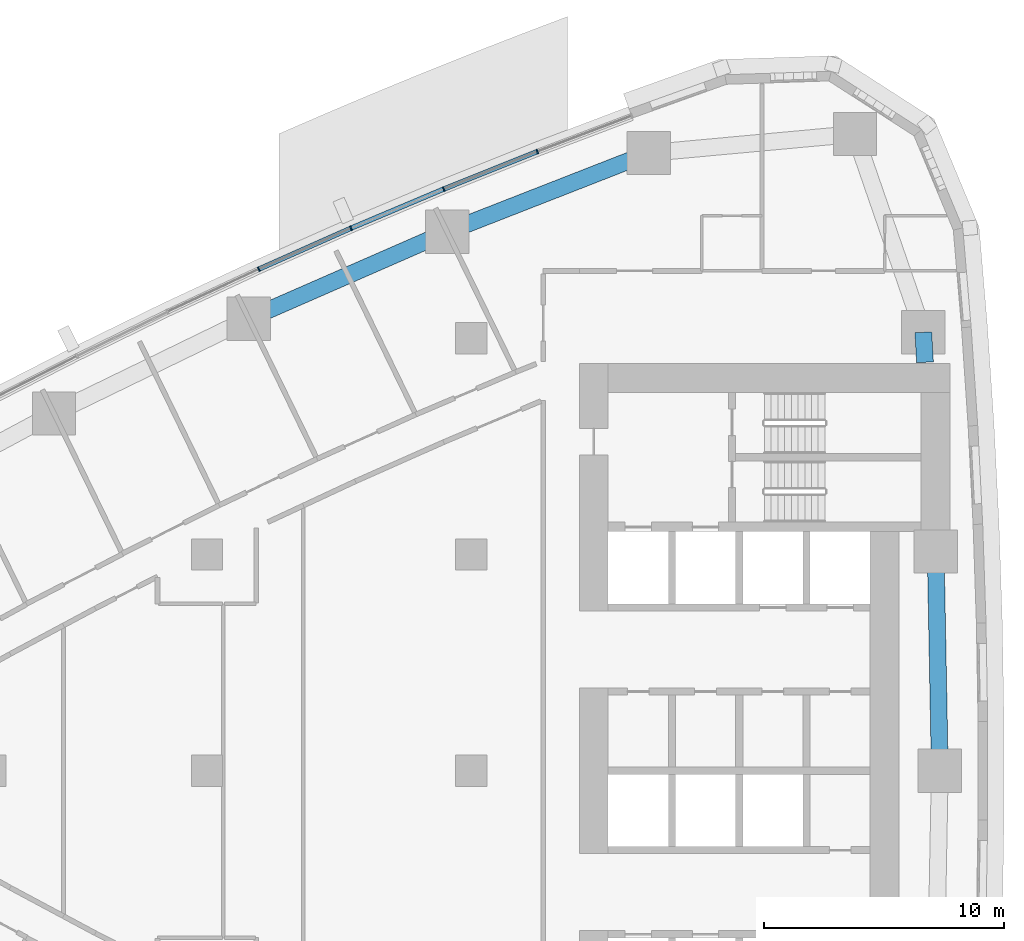
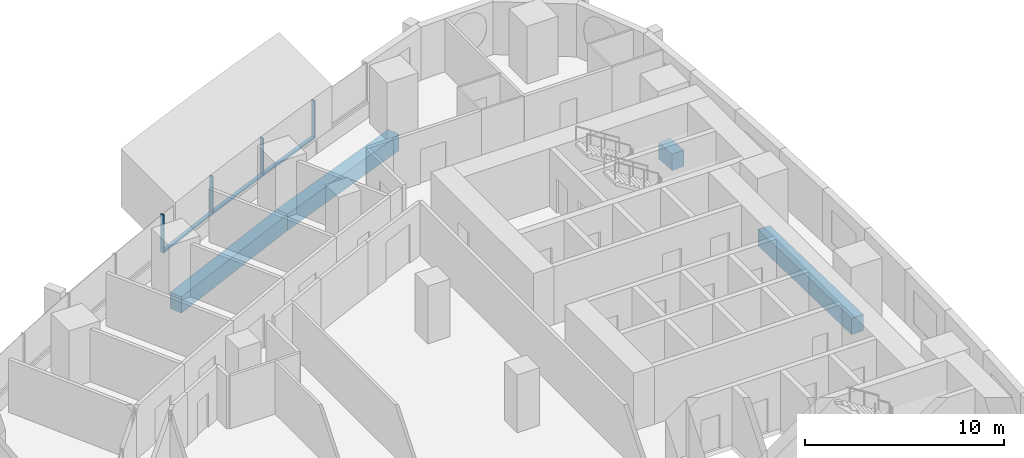
# One storey, part 6 of 19: 7 members, 4 beams, 2 elements without a shape of their own.
"""IFC4 building model written with IfcOpenShell, lengths in metres."""

from ifc_helpers import new_model, si_unit, direction, frame, origin, origin_2d, place, context, subcontext, project, spatial, rectangle, extrude, material, layer, layer_set, material_profile, profile_set, type_object, element, aggregate, save


model = new_model("IFC4")

# Units and contexts
model_context = context("Model", 3, precision=1e-05, world=origin(), true_north=direction((0.0, 1.0)))
body_context = subcontext(model_context, "Body", "Model", "MODEL_VIEW")
ifc_project = project(units=[si_unit("LENGTHUNIT", "METRE"), si_unit("AREAUNIT", "SQUARE_METRE"), si_unit("VOLUMEUNIT", "CUBIC_METRE"), si_unit("PLANEANGLEUNIT", "RADIAN"), si_unit("MASSUNIT", "GRAM", prefix="KILO")], contexts=[model_context])

# Site, building, storey
site_placement = place(None, origin())
site = spatial("IfcSite", under=ifc_project, at=site_placement, CompositionType="ELEMENT")
building_placement = place(site_placement, origin())
building = spatial("IfcBuilding", under=site, at=building_placement, Name="Ostrand Prow Hotel Tower", CompositionType="ELEMENT")
storey_placement = place(building_placement, frame((0.0, 0.0, 46.699951171875)))
storey = spatial("IfcBuildingStorey", under=building, at=storey_placement, Name="L09", CompositionType="ELEMENT", Elevation=46.699951171875)

# Beams
ifc_material_1 = material(Name="Concrete C80/95", Category="concrete")
ifc_material_profile_1 = material_profile(ifc_material_1, rectangle(XDim=0.699951171875, YDim=1.0, at=origin_2d()), Name="RC 700x1000")
ifc_profile_set_1 = profile_set([ifc_material_profile_1], Name="Concrete C80/95")
beam_type = type_object("IfcBeamType", Name="Edge beam 700x1000 C80/95", PredefinedType="SPANDREL", material=ifc_profile_set_1)
beam_1_placement = place(storey_placement, frame((64.5, 0.0, -0.800048828125), z_axis=(-0.018793471688, 0.999823387115, 0.0), x_axis=(-0.999823387115, -0.018793471688, 0.0)))
element("IfcBeam", 1, at=beam_1_placement, inside=storey, type_object=beam_type, Name="Edge beam B3-B4", PredefinedType="SPANDREL", context=body_context, shape_type="SweptSolid", body=[
    extrude(rectangle(XDim=0.699951171875, YDim=1.0, at=origin_2d()), origin(), (0.0, 0.0, 1.0), 9.132568359375),
])
beam_2_placement = place(storey_placement, frame((63.8837890625, 17.0, -0.800048828125), z_axis=(-0.056215946509, 0.998418633319, 0.0), x_axis=(-0.998418633319, -0.056215946509, 0.0)))
element("IfcBeam", 2, at=beam_2_placement, inside=storey, type_object=beam_type, Name="Edge beam B4-B5", PredefinedType="SPANDREL", context=body_context, shape_type="SweptSolid", body=[
    extrude(rectangle(XDim=0.699951171875, YDim=1.0, at=origin_2d()), origin(), (0.0, 0.0, 1.0), 1.250732421875),
])
for number, where, z_axis, x_axis, name in (
    (3, (52.3916015625, 25.710205078125, -0.800048828125), (-0.931329480916, -0.364177701098, 0.0), (0.364177701098, -0.931329480916, 0.0), "Edge beam N1-N2"),
    (4, (43.997802734375, 22.427978515625, -0.800048828125), (-0.916095776162, -0.400959510297, 0.0), (0.400959510297, -0.916095776162, 0.0), "Edge beam N2-N3"),
):
    element("IfcBeam", number, at=place(storey_placement, frame(where, z_axis=z_axis, x_axis=x_axis)), inside=storey, type_object=beam_type, Name=name, PredefinedType="SPANDREL", context=body_context, shape_type="SweptSolid", body=[
        extrude(rectangle(XDim=0.699951171875, YDim=1.0, at=origin_2d()), origin(), (0.0, 0.0, 1.0), 9.0126953125),
    ])

# Curtain wall, members
ifc_material_2 = material(Name="Insulated glass in bronze anodised frame", Category="glass")
ifc_layer = layer(ifc_material_2, 0.199951171875)
ifc_layer_set = layer_set([ifc_layer], Name="Insulated glass in bronze anodised frame")
curtain_wall_type = type_object("IfcCurtainWallType", Name="Strip curtain wall, fritted glass over bronze spandrel", PredefinedType="NOTDEFINED", material=ifc_layer_set)
curtain_wall_1_placement = place(storey_placement, origin())
curtain_wall_1 = element("IfcCurtainWall", 5, at=curtain_wall_1_placement, inside=storey, type_object=curtain_wall_type, Name="CW1 run CWN1", PredefinedType="NOTDEFINED")
ifc_material_3 = material(Name="Bronze anodised aluminium", Category="aluminium")
ifc_material_profile_2 = material_profile(ifc_material_3, rectangle(XDim=0.199951171875, YDim=0.06005859375, at=origin_2d()), Name="Mullion 60x200 bronze anodised aluminium")
ifc_profile_set_2 = profile_set([ifc_material_profile_2], Name="Bronze anodised aluminium")
member_type_1 = type_object("IfcMemberType", Name="Mullion 60x200 bronze anodised aluminium", PredefinedType="MULLION", material=ifc_profile_set_2)
member_1_placement = place(storey_placement, frame((47.7529296875, 25.769775390625, 0.900146484375), z_axis=(0.0, 0.0, 1.0), x_axis=(0.371873380669, -0.928283463577, 0.0)))
member_1 = element("IfcMember", 6, at=member_1_placement, type_object=member_type_1, Name="CW1 mullion 2", PredefinedType="MULLION", context=body_context, shape_type="SweptSolid", body=[
    extrude(rectangle(XDim=0.199951171875, YDim=0.06005859375, at=origin_2d()), origin(), (0.0, 0.0, 1.0), 2.349853515625),
])
member_2_placement = place(storey_placement, frame((43.859619140625, 24.210205078125, 0.900146484375), z_axis=(0.0, 0.0, 1.0), x_axis=(0.371873380669, -0.928283463577, 0.0)))
member_2 = element("IfcMember", 7, at=member_2_placement, type_object=member_type_1, Name="CW1 mullion 3", PredefinedType="MULLION", context=body_context, shape_type="SweptSolid", body=[
    extrude(rectangle(XDim=0.199951171875, YDim=0.06005859375, at=origin_2d()), origin(), (0.0, 0.0, 1.0), 2.349853515625),
])

curtain_wall_2_placement = place(storey_placement, origin())
curtain_wall_2 = element("IfcCurtainWall", 8, at=curtain_wall_2_placement, inside=storey, type_object=curtain_wall_type, Name="CW1 run CWN2", PredefinedType="NOTDEFINED")
member_3_placement = place(storey_placement, frame((39.99560546875, 22.5791015625, 0.900146484375), z_axis=(0.0, 0.0, 1.0), x_axis=(0.405779757666, -0.913970890274, 0.0)))
member_3 = element("IfcMember", 9, at=member_3_placement, type_object=member_type_1, Name="CW1 mullion 2", PredefinedType="MULLION", context=body_context, shape_type="SweptSolid", body=[
    extrude(rectangle(XDim=0.199951171875, YDim=0.06005859375, at=origin_2d()), origin(), (0.0, 0.0, 1.0), 2.349853515625),
])
member_4_placement = place(storey_placement, frame((36.162109375, 20.876953125, 0.900146484375), z_axis=(0.0, 0.0, 1.0), x_axis=(0.405779757666, -0.913970890274, 0.0)))
member_4 = element("IfcMember", 10, at=member_4_placement, type_object=member_type_1, Name="CW1 mullion 3", PredefinedType="MULLION", context=body_context, shape_type="SweptSolid", body=[
    extrude(rectangle(XDim=0.199951171875, YDim=0.06005859375, at=origin_2d()), origin(), (0.0, 0.0, 1.0), 2.349853515625),
])

# Member
ifc_material_4 = material(Name="Bronze anodised aluminium", Category="aluminium")
ifc_material_profile_3 = material_profile(ifc_material_4, rectangle(XDim=0.199951171875, YDim=0.1201171875, at=origin_2d()), Name="Transom 120x200 bronze anodised aluminium")
ifc_profile_set_3 = profile_set([ifc_material_profile_3], Name="Bronze anodised aluminium")
member_type_2 = type_object("IfcMemberType", Name="Transom 120x200 bronze anodised aluminium", PredefinedType="USERDEFINED", material=ifc_profile_set_3)
member_5_placement = place(storey_placement, frame((47.72509765625, 25.7587890625, 0.9599609375), z_axis=(-0.928264761225, -0.371920062739, 0.0), x_axis=(0.371920062739, -0.928264761225, 0.0)))
member_5 = element("IfcMember", 11, at=member_5_placement, type_object=member_type_2, Name="CW1 transom 2.1", ObjectType="TRANSOM", PredefinedType="USERDEFINED", context=body_context, shape_type="SweptSolid", body=[
    extrude(rectangle(XDim=0.199951171875, YDim=0.1201171875, at=origin_2d()), origin(), (0.0, 0.0, 1.0), 4.13427734375),
])

aggregate(curtain_wall_1, [member_1, member_2, member_5])

member_6_placement = place(storey_placement, frame((43.831787109375, 24.198486328125, 0.9599609375), z_axis=(-0.921284828297, -0.388888499637, 0.0), x_axis=(0.388888499637, -0.921284828297, 0.0)))
member_6 = element("IfcMember", 12, at=member_6_placement, type_object=member_type_2, Name="CW1 transom 1.1", ObjectType="TRANSOM", PredefinedType="USERDEFINED", context=body_context, shape_type="SweptSolid", body=[
    extrude(rectangle(XDim=0.199951171875, YDim=0.1201171875, at=origin_2d()), origin(), (0.0, 0.0, 1.0), 4.134033203125),
])

member_7_placement = place(storey_placement, frame((39.968017578125, 22.56689453125, 0.9599609375), z_axis=(-0.913957599094, -0.405809693156, 0.0), x_axis=(0.405809693156, -0.913957599094, 0.0)))
member_7 = element("IfcMember", 13, at=member_7_placement, type_object=member_type_2, Name="CW1 transom 2.1", ObjectType="TRANSOM", PredefinedType="USERDEFINED", context=body_context, shape_type="SweptSolid", body=[
    extrude(rectangle(XDim=0.199951171875, YDim=0.1201171875, at=origin_2d()), origin(), (0.0, 0.0, 1.0), 4.13427734375),
])

aggregate(curtain_wall_2, [member_3, member_4, member_6, member_7])

save(model, "model.ifc")
